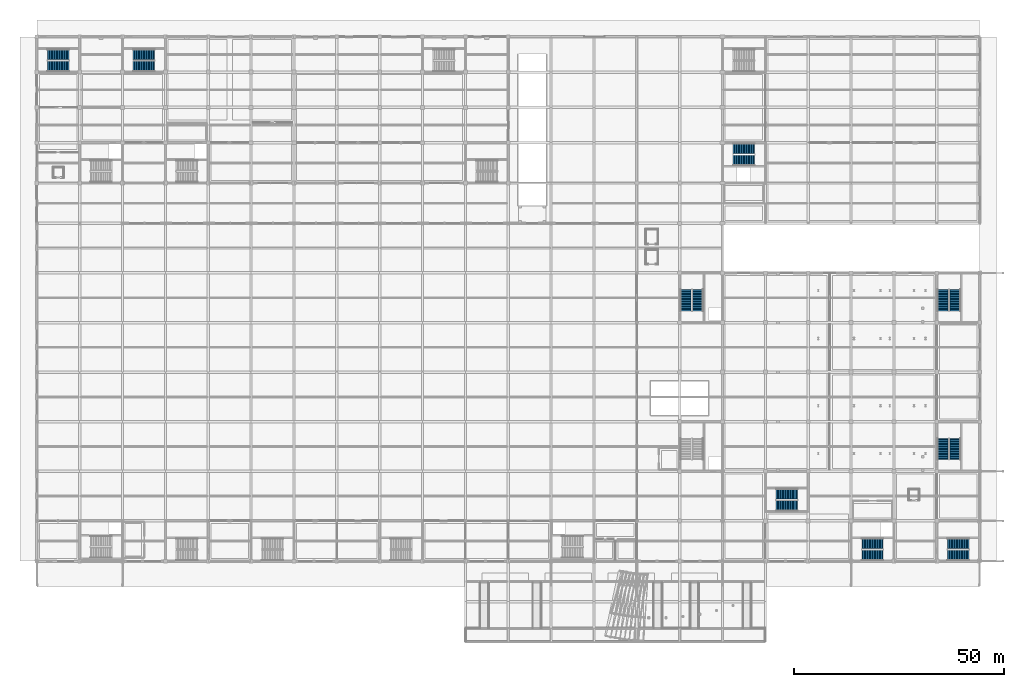
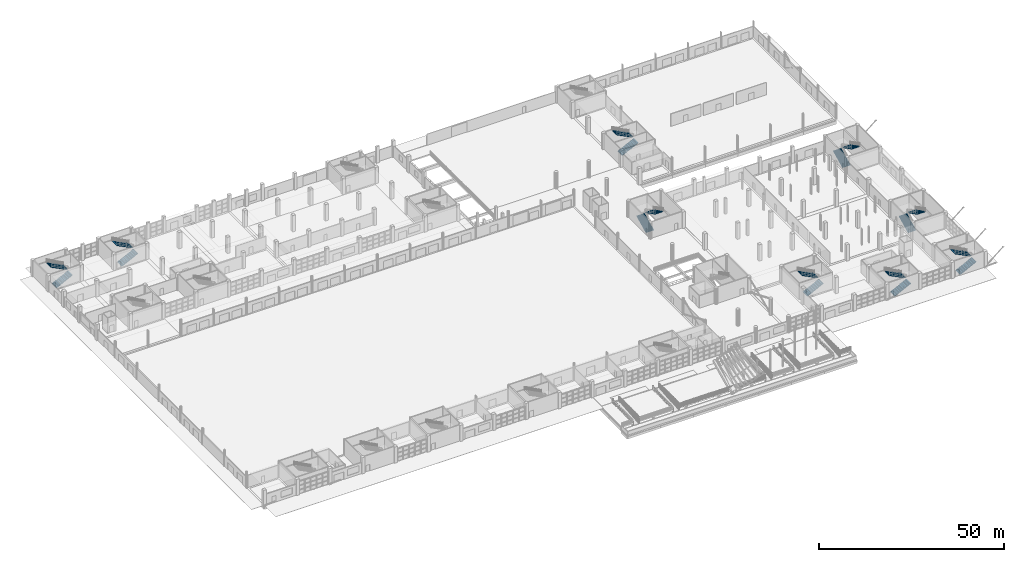
# One storey, part 101 of 124: 18 stair flights, 9 elements without a shape of their own.
"""IFC4 building model written with IfcOpenShell, lengths in metres."""

import ifcopenshell
import ifcopenshell.guid

model = None  # the IFC model being written
_history = None  # IfcOwnerHistory: only IFC2X3 demands one
_inside = {}  # id of a spatial element -> (the spatial element, [elements in it])
_under = {}  # id of a project, library or spatial element -> (it, [spatial elements below it])
_declared = {}  # id of a project -> (the project, [libraries it declares])
_typed = {}  # id of a type object -> (the type object, [elements of that type])
_made_of = {}  # id of a material, layer set ... -> (it, [elements and type objects made of it])


def new_model(schema):
    """Start an empty IFC model of exactly this schema.

    Asked for "IFC4X3", IfcOpenShell would pick the latest addendum, in which some entities
    have other attributes; the version numbers below select the first issue.
    IFC2X3 requires an IfcOwnerHistory on every rooted entity: one is made here for all.
    """
    global model, _history
    if schema == "IFC4X3":
        model = ifcopenshell.file(schema_version=(4, 3, 0, 0))
    else:
        model = ifcopenshell.file(schema=schema)
    _inside.clear()
    _under.clear()
    _declared.clear()
    _typed.clear()
    _made_of.clear()
    _history = None
    if model.schema == "IFC2X3":
        org = make("IfcOrganization", Name="unknown")
        user = make(
            "IfcPersonAndOrganization",
            ThePerson=make("IfcPerson", FamilyName="unknown"),
            TheOrganization=org,
        )
        app = make(
            "IfcApplication",
            ApplicationDeveloper=org,
            Version="unknown",
            ApplicationFullName="unknown",
            ApplicationIdentifier="unknown",
        )
        _history = make(
            "IfcOwnerHistory",
            OwningUser=user,
            OwningApplication=app,
            ChangeAction="ADDED",
            CreationDate=0,
        )
    return model


def make(cls, **values):
    """One entity of the class cls with the attributes given. An attribute that is None is left unset."""
    return model.create_entity(
        cls, **{name: value for name, value in values.items() if value is not None}
    )


def rooted(cls, **values):
    """An entity with a GlobalId (a new one), such as an element, a storey or a relation."""
    return make(cls, GlobalId=ifcopenshell.guid.new(), OwnerHistory=_history, **values)


def si_unit(unit_type, name, prefix=None):
    """IfcSIUnit, for example si_unit("LENGTHUNIT", "METRE", prefix="MILLI")."""
    return make("IfcSIUnit", UnitType=unit_type, Prefix=prefix, Name=name)


def assignment(units):
    """IfcUnitAssignment: the units of a project."""
    return None if units is None else make("IfcUnitAssignment", Units=units)


def point(xyz):
    """IfcCartesianPoint."""
    return None if xyz is None else make("IfcCartesianPoint", Coordinates=xyz)


def direction(xyz):
    """IfcDirection."""
    return None if xyz is None else make("IfcDirection", DirectionRatios=xyz)


def frame(location, z_axis=None, x_axis=None):
    """IfcAxis2Placement3D, a coordinate frame: its origin and axes. An axis left out is left unset."""
    return make(
        "IfcAxis2Placement3D",
        Location=point(location),
        Axis=direction(z_axis),
        RefDirection=direction(x_axis),
    )


def origin():
    """The frame at (0, 0, 0) with its axes left unset."""
    return frame((0.0, 0.0, 0.0))


def place(relative_to, where):
    """IfcLocalPlacement: puts the frame where relative to a parent placement (None: the world)."""
    return make(
        "IfcLocalPlacement", PlacementRelTo=relative_to, RelativePlacement=where
    )


def context(
    kind, dimensions, precision=None, world=None, true_north=None, identifier=None
):
    """IfcGeometricRepresentationContext, for example the 3D "Model" context."""
    return make(
        "IfcGeometricRepresentationContext",
        ContextIdentifier=identifier,
        ContextType=kind,
        CoordinateSpaceDimension=dimensions,
        Precision=precision,
        WorldCoordinateSystem=world,
        TrueNorth=true_north,
    )


def subcontext(parent, identifier, kind, view, scale=None):
    """IfcGeometricRepresentationSubContext, for example "Body" below "Model"."""
    return make(
        "IfcGeometricRepresentationSubContext",
        ContextIdentifier=identifier,
        ContextType=kind,
        ParentContext=parent,
        TargetScale=scale,
        TargetView=view,
    )


def project(units=None, contexts=None):
    """IfcProject with its units and contexts."""
    return rooted(
        "IfcProject",
        Name="project",
        RepresentationContexts=contexts,
        UnitsInContext=assignment(units),
    )


def spatial(cls, under=None, at=None, **own):
    """A site, building, storey or space (cls), placed at a placement, below another one or the project."""
    s = rooted(cls, ObjectPlacement=at, **own)
    if under is not None:
        _under.setdefault(under.id(), (under, []))[1].append(s)
    return s


def polyline(points):
    """IfcPolyline through the points."""
    return make("IfcPolyline", Points=[point(p) for p in points])


def outline(outer, holes=None, kind="AREA"):
    """IfcArbitraryClosedProfileDef: a profile drawn as a closed curve; with holes, ...WithVoids."""
    if holes is None:
        return make("IfcArbitraryClosedProfileDef", ProfileType=kind, OuterCurve=outer)
    return make(
        "IfcArbitraryProfileDefWithVoids",
        ProfileType=kind,
        OuterCurve=outer,
        InnerCurves=holes,
    )


def extrude(swept, where, along, depth):
    """IfcExtrudedAreaSolid: the profile swept, set in the frame where, extruded along a direction by depth."""
    return make(
        "IfcExtrudedAreaSolid",
        SweptArea=swept,
        Position=where,
        ExtrudedDirection=direction(along),
        Depth=depth,
    )


def shape(context_of_items, identifier, shape_type, items):
    """IfcShapeRepresentation: the items that make up one representation, for example the "Body"."""
    return make(
        "IfcShapeRepresentation",
        ContextOfItems=context_of_items,
        RepresentationIdentifier=identifier,
        RepresentationType=shape_type,
        Items=items,
    )


def material(Name=None, Category=None):
    """IfcMaterial."""
    return make("IfcMaterial", Name=Name, Category=Category)


def made_of(thing, what):
    """Note that an element or type object is made of a material, layer set ...; save() writes the relation."""
    if what is not None:
        _made_of.setdefault(what.id(), (what, []))[1].append(thing)
    return thing


def type_object(cls, material=None, **own):
    """A type object (cls), such as IfcWallType, which elements share."""
    return made_of(rooted(cls, **own), material)


def element(
    cls,
    number,
    at=None,
    inside=None,
    cuts=None,
    type_object=None,
    material=None,
    context=None,
    identifier="Body",
    shape_type=None,
    held_by="IfcProductDefinitionShape",
    body=None,
    shapes=None,
    **own,
):
    """One element of the class cls, such as IfcWall. Its Tag is "e" and its number.

    at: its placement. inside: the storey or other place that contains it. cuts: it is an
    opening in that element (IfcRelVoidsElement). A single representation is given by context,
    identifier, shape_type and body (its items); several are given by shapes. held_by: the class
    of the entity that holds the representations. save() writes the other relations.
    """
    e = rooted(cls, Tag="e%d" % number, ObjectPlacement=at, **own)
    if body is not None:
        shapes = [shape(context, identifier, shape_type, body)]
    if shapes is not None:
        e.Representation = make(held_by, Representations=shapes)
    if inside is not None:
        _inside.setdefault(inside.id(), (inside, []))[1].append(e)
    if cuts is not None:
        rooted(
            "IfcRelVoidsElement", RelatingBuildingElement=cuts, RelatedOpeningElement=e
        )
    if type_object is not None:
        _typed.setdefault(type_object.id(), (type_object, []))[1].append(e)
    return made_of(e, material)


def aggregate(whole, parts):
    """IfcRelAggregates: a whole, such as a stair, and the parts it consists of."""
    return rooted("IfcRelAggregates", RelatingObject=whole, RelatedObjects=parts)


def save(model, path):
    """Write the relations noted so far, then the file.

    IfcRelAggregates (storeys below a building ...), IfcRelContainedInSpatialStructure (elements
    in a storey), IfcRelDefinesByType, IfcRelAssociatesMaterial and IfcRelDeclares: one each for
    every whole, place, type object, material and project.
    """
    for whole, parts in _under.values():
        aggregate(whole, parts)
    for where, things in _inside.values():
        rooted(
            "IfcRelContainedInSpatialStructure",
            RelatedElements=things,
            RelatingStructure=where,
        )
    for kind, things in _typed.values():
        rooted("IfcRelDefinesByType", RelatedObjects=things, RelatingType=kind)
    for what, things in _made_of.values():
        rooted("IfcRelAssociatesMaterial", RelatedObjects=things, RelatingMaterial=what)
    for by, libraries in _declared.values():
        rooted("IfcRelDeclares", RelatingContext=by, RelatedDefinitions=libraries)
    model.write(path)


model = new_model("IFC4")

# Units and contexts
model_context = context("Model", 3, precision=1e-05, world=origin(), true_north=direction((0.0, 1.0)))
body_context = subcontext(model_context, "Body", "Model", "MODEL_VIEW")
ifc_project = project(units=[si_unit("LENGTHUNIT", "METRE"), si_unit("AREAUNIT", "SQUARE_METRE"), si_unit("VOLUMEUNIT", "CUBIC_METRE"), si_unit("PLANEANGLEUNIT", "RADIAN"), si_unit("MASSUNIT", "GRAM", prefix="KILO")], contexts=[model_context])

# Site, building, storey
site_placement = place(None, origin())
site = spatial("IfcSite", under=ifc_project, at=site_placement, CompositionType="ELEMENT")
building_placement = place(site_placement, origin())
building = spatial("IfcBuilding", under=site, at=building_placement, Name="Brelvane Convention Centre", CompositionType="ELEMENT")
storey_placement = place(building_placement, origin())
storey = spatial("IfcBuildingStorey", under=building, at=storey_placement, Name="L00", CompositionType="ELEMENT", Elevation=0.0)

# Stair, stair flights
ifc_material_1 = material(Name="Concrete M40", Category="concrete")
stair_type_1 = type_object("IfcStairType", Name="Exit Stair ST-ASM", PredefinedType="HALF_TURN_STAIR", material=ifc_material_1)
stair_1_placement = place(storey_placement, origin())
stair_1 = element("IfcStair", 1, at=stair_1_placement, inside=storey, type_object=stair_type_1, Name="Exit Stair ST-04 (L00 to L01)", PredefinedType="HALF_TURN_STAIR")
ifc_material_2 = material(Name="Concrete M40", Category="concrete")
stair_flight_type_1 = type_object("IfcStairFlightType", Name="Stair Flight SF-A18", PredefinedType="STRAIGHT", material=ifc_material_2)
stair_flight_1_placement = place(storey_placement, frame((154.47998046875, 78.75, 0.0), z_axis=(0.0, 0.0, 1.0), x_axis=(0.0, 1.0, 0.0)))
stair_flight_1 = element("IfcStairFlight", 2, at=stair_flight_1_placement, type_object=stair_flight_type_1, Name="Stair ST-04 L00 Flight 1", NumberOfRisers=18, NumberOfTreads=17, PredefinedType="STRAIGHT", RiserHeight=0.15, TreadLength=0.3, context=body_context, shape_type="SweptSolid", body=[
    extrude(outline(polyline([(0.0, 0.0), (0.0, 0.14990234375), (0.300048828125, 0.14990234375), (0.300048828125, 0.300048828125), (0.60009765625, 0.300048828125), (0.60009765625, 0.449951171875), (0.89990234375, 0.449951171875), (0.89990234375, 0.60009765625), (1.199951171875, 0.60009765625), (1.199951171875, 0.75), (1.5, 0.75), (1.5, 0.89990234375), (1.800048828125, 0.89990234375), (1.800048828125, 1.050048828125), (2.10009765625, 1.050048828125), (2.10009765625, 1.199951171875), (2.39990234375, 1.199951171875), (2.39990234375, 1.35009765625), (2.699951171875, 1.35009765625), (2.699951171875, 1.5), (3.0, 1.5), (3.0, 1.64990234375), (3.300048828125, 1.64990234375), (3.300048828125, 1.800048828125), (3.60009765625, 1.800048828125), (3.60009765625, 1.949951171875), (3.89990234375, 1.949951171875), (3.89990234375, 2.10009765625), (4.199951171875, 2.10009765625), (4.199951171875, 2.25), (4.5, 2.25), (4.5, 2.39990234375), (4.800048828125, 2.39990234375), (4.800048828125, 2.550048828125), (5.10009765625, 2.550048828125), (5.10009765625, 2.699951171875), (5.10009765625, 2.348876953125), (0.40234375, 0.0), (0.0, 0.0)])), frame((0.0, 1.239990234375, 0.0), z_axis=(0.0, -1.0, 0.0), x_axis=(1.0, 0.0, 0.0)), (0.0, 0.0, 1.0), 2.47998046875),
])
stair_flight_2_placement = place(storey_placement, frame((157.320068359375, 83.85009765625, 2.699951171875), z_axis=(0.0, 0.0, 1.0), x_axis=(0.0, -1.0, 0.0)))
stair_flight_2 = element("IfcStairFlight", 3, at=stair_flight_2_placement, type_object=stair_flight_type_1, Name="Stair ST-04 L00 Flight 2", NumberOfRisers=18, NumberOfTreads=17, PredefinedType="STRAIGHT", RiserHeight=0.15, TreadLength=0.3, context=body_context, shape_type="SweptSolid", body=[
    extrude(outline(polyline([(0.0, 0.0), (0.0, 0.14990234375), (0.300048828125, 0.14990234375), (0.300048828125, 0.300048828125), (0.60009765625, 0.300048828125), (0.60009765625, 0.449951171875), (0.89990234375, 0.449951171875), (0.89990234375, 0.60009765625), (1.199951171875, 0.60009765625), (1.199951171875, 0.75), (1.5, 0.75), (1.5, 0.89990234375), (1.800048828125, 0.89990234375), (1.800048828125, 1.050048828125), (2.10009765625, 1.050048828125), (2.10009765625, 1.199951171875), (2.39990234375, 1.199951171875), (2.39990234375, 1.35009765625), (2.699951171875, 1.35009765625), (2.699951171875, 1.5), (3.0, 1.5), (3.0, 1.64990234375), (3.300048828125, 1.64990234375), (3.300048828125, 1.800048828125), (3.60009765625, 1.800048828125), (3.60009765625, 1.949951171875), (3.89990234375, 1.949951171875), (3.89990234375, 2.10009765625), (4.199951171875, 2.10009765625), (4.199951171875, 2.25), (4.5, 2.25), (4.5, 2.39990234375), (4.800048828125, 2.39990234375), (4.800048828125, 2.550048828125), (5.10009765625, 2.550048828125), (5.10009765625, 2.699951171875), (5.10009765625, 2.348876953125), (0.40234375, 0.0), (0.0, 0.0)])), frame((0.0, 1.239990234375, 0.0), z_axis=(0.0, -1.0, 0.0), x_axis=(1.0, 0.0, 0.0)), (0.0, 0.0, 1.0), 2.47998046875),
])
aggregate(stair_1, [stair_flight_1, stair_flight_2])

stair_2_placement = place(storey_placement, origin())
stair_2 = element("IfcStair", 4, at=stair_2_placement, inside=storey, type_object=stair_type_1, Name="Exit Stair ST-15 (L00 to L01)", PredefinedType="HALF_TURN_STAIR")
stair_flight_3_placement = place(storey_placement, frame((215.679931640625, 43.35009765625, 0.0), z_axis=(0.0, 0.0, 1.0), x_axis=(0.0, 1.0, 0.0)))
stair_flight_3 = element("IfcStairFlight", 5, at=stair_flight_3_placement, type_object=stair_flight_type_1, Name="Stair ST-15 L00 Flight 1", NumberOfRisers=18, NumberOfTreads=17, PredefinedType="STRAIGHT", RiserHeight=0.15, TreadLength=0.3, context=body_context, shape_type="SweptSolid", body=[
    extrude(outline(polyline([(0.0, 0.0), (0.0, 0.14990234375), (0.300048828125, 0.14990234375), (0.300048828125, 0.300048828125), (0.60009765625, 0.300048828125), (0.60009765625, 0.449951171875), (0.89990234375, 0.449951171875), (0.89990234375, 0.60009765625), (1.199951171875, 0.60009765625), (1.199951171875, 0.75), (1.5, 0.75), (1.5, 0.89990234375), (1.800048828125, 0.89990234375), (1.800048828125, 1.050048828125), (2.10009765625, 1.050048828125), (2.10009765625, 1.199951171875), (2.39990234375, 1.199951171875), (2.39990234375, 1.35009765625), (2.699951171875, 1.35009765625), (2.699951171875, 1.5), (3.0, 1.5), (3.0, 1.64990234375), (3.300048828125, 1.64990234375), (3.300048828125, 1.800048828125), (3.60009765625, 1.800048828125), (3.60009765625, 1.949951171875), (3.89990234375, 1.949951171875), (3.89990234375, 2.10009765625), (4.199951171875, 2.10009765625), (4.199951171875, 2.25), (4.5, 2.25), (4.5, 2.39990234375), (4.800048828125, 2.39990234375), (4.800048828125, 2.550048828125), (5.10009765625, 2.550048828125), (5.10009765625, 2.699951171875), (5.10009765625, 2.348876953125), (0.40234375, 0.0), (0.0, 0.0)])), frame((0.0, 1.239990234375, 0.0), z_axis=(0.0, -1.0, 0.0), x_axis=(1.0, 0.0, 0.0)), (0.0, 0.0, 1.0), 2.47998046875),
])
stair_flight_4_placement = place(storey_placement, frame((218.52001953125, 48.449951171875, 2.699951171875), z_axis=(0.0, 0.0, 1.0), x_axis=(0.0, -1.0, 0.0)))
stair_flight_4 = element("IfcStairFlight", 6, at=stair_flight_4_placement, type_object=stair_flight_type_1, Name="Stair ST-15 L00 Flight 2", NumberOfRisers=18, NumberOfTreads=17, PredefinedType="STRAIGHT", RiserHeight=0.15, TreadLength=0.3, context=body_context, shape_type="SweptSolid", body=[
    extrude(outline(polyline([(0.0, 0.0), (0.0, 0.14990234375), (0.300048828125, 0.14990234375), (0.300048828125, 0.300048828125), (0.60009765625, 0.300048828125), (0.60009765625, 0.449951171875), (0.89990234375, 0.449951171875), (0.89990234375, 0.60009765625), (1.199951171875, 0.60009765625), (1.199951171875, 0.75), (1.5, 0.75), (1.5, 0.89990234375), (1.800048828125, 0.89990234375), (1.800048828125, 1.050048828125), (2.10009765625, 1.050048828125), (2.10009765625, 1.199951171875), (2.39990234375, 1.199951171875), (2.39990234375, 1.35009765625), (2.699951171875, 1.35009765625), (2.699951171875, 1.5), (3.0, 1.5), (3.0, 1.64990234375), (3.300048828125, 1.64990234375), (3.300048828125, 1.800048828125), (3.60009765625, 1.800048828125), (3.60009765625, 1.949951171875), (3.89990234375, 1.949951171875), (3.89990234375, 2.10009765625), (4.199951171875, 2.10009765625), (4.199951171875, 2.25), (4.5, 2.25), (4.5, 2.39990234375), (4.800048828125, 2.39990234375), (4.800048828125, 2.550048828125), (5.10009765625, 2.550048828125), (5.10009765625, 2.699951171875), (5.10009765625, 2.348876953125), (0.40234375, 0.0), (0.0, 0.0)])), frame((0.0, 1.239990234375, 0.0), z_axis=(0.0, -1.0, 0.0), x_axis=(1.0, 0.0, 0.0)), (0.0, 0.0, 1.0), 2.47998046875),
])
aggregate(stair_2, [stair_flight_3, stair_flight_4])

stair_3_placement = place(storey_placement, origin())
stair_3 = element("IfcStair", 7, at=stair_3_placement, inside=storey, type_object=stair_type_1, Name="Exit Stair ST-16 (L00 to L01)", PredefinedType="HALF_TURN_STAIR")
stair_flight_5_placement = place(storey_placement, frame((215.679931640625, 78.75, 0.0), z_axis=(0.0, 0.0, 1.0), x_axis=(0.0, 1.0, 0.0)))
stair_flight_5 = element("IfcStairFlight", 8, at=stair_flight_5_placement, type_object=stair_flight_type_1, Name="Stair ST-16 L00 Flight 1", NumberOfRisers=18, NumberOfTreads=17, PredefinedType="STRAIGHT", RiserHeight=0.15, TreadLength=0.3, context=body_context, shape_type="SweptSolid", body=[
    extrude(outline(polyline([(0.0, 0.0), (0.0, 0.14990234375), (0.300048828125, 0.14990234375), (0.300048828125, 0.300048828125), (0.60009765625, 0.300048828125), (0.60009765625, 0.449951171875), (0.89990234375, 0.449951171875), (0.89990234375, 0.60009765625), (1.199951171875, 0.60009765625), (1.199951171875, 0.75), (1.5, 0.75), (1.5, 0.89990234375), (1.800048828125, 0.89990234375), (1.800048828125, 1.050048828125), (2.10009765625, 1.050048828125), (2.10009765625, 1.199951171875), (2.39990234375, 1.199951171875), (2.39990234375, 1.35009765625), (2.699951171875, 1.35009765625), (2.699951171875, 1.5), (3.0, 1.5), (3.0, 1.64990234375), (3.300048828125, 1.64990234375), (3.300048828125, 1.800048828125), (3.60009765625, 1.800048828125), (3.60009765625, 1.949951171875), (3.89990234375, 1.949951171875), (3.89990234375, 2.10009765625), (4.199951171875, 2.10009765625), (4.199951171875, 2.25), (4.5, 2.25), (4.5, 2.39990234375), (4.800048828125, 2.39990234375), (4.800048828125, 2.550048828125), (5.10009765625, 2.550048828125), (5.10009765625, 2.699951171875), (5.10009765625, 2.348876953125), (0.40234375, 0.0), (0.0, 0.0)])), frame((0.0, 1.239990234375, 0.0), z_axis=(0.0, -1.0, 0.0), x_axis=(1.0, 0.0, 0.0)), (0.0, 0.0, 1.0), 2.47998046875),
])
stair_flight_6_placement = place(storey_placement, frame((218.52001953125, 83.85009765625, 2.699951171875), z_axis=(0.0, 0.0, 1.0), x_axis=(0.0, -1.0, 0.0)))
stair_flight_6 = element("IfcStairFlight", 9, at=stair_flight_6_placement, type_object=stair_flight_type_1, Name="Stair ST-16 L00 Flight 2", NumberOfRisers=18, NumberOfTreads=17, PredefinedType="STRAIGHT", RiserHeight=0.15, TreadLength=0.3, context=body_context, shape_type="SweptSolid", body=[
    extrude(outline(polyline([(0.0, 0.0), (0.0, 0.14990234375), (0.300048828125, 0.14990234375), (0.300048828125, 0.300048828125), (0.60009765625, 0.300048828125), (0.60009765625, 0.449951171875), (0.89990234375, 0.449951171875), (0.89990234375, 0.60009765625), (1.199951171875, 0.60009765625), (1.199951171875, 0.75), (1.5, 0.75), (1.5, 0.89990234375), (1.800048828125, 0.89990234375), (1.800048828125, 1.050048828125), (2.10009765625, 1.050048828125), (2.10009765625, 1.199951171875), (2.39990234375, 1.199951171875), (2.39990234375, 1.35009765625), (2.699951171875, 1.35009765625), (2.699951171875, 1.5), (3.0, 1.5), (3.0, 1.64990234375), (3.300048828125, 1.64990234375), (3.300048828125, 1.800048828125), (3.60009765625, 1.800048828125), (3.60009765625, 1.949951171875), (3.89990234375, 1.949951171875), (3.89990234375, 2.10009765625), (4.199951171875, 2.10009765625), (4.199951171875, 2.25), (4.5, 2.25), (4.5, 2.39990234375), (4.800048828125, 2.39990234375), (4.800048828125, 2.550048828125), (5.10009765625, 2.550048828125), (5.10009765625, 2.699951171875), (5.10009765625, 2.348876953125), (0.40234375, 0.0), (0.0, 0.0)])), frame((0.0, 1.239990234375, 0.0), z_axis=(0.0, -1.0, 0.0), x_axis=(1.0, 0.0, 0.0)), (0.0, 0.0, 1.0), 2.47998046875),
])
aggregate(stair_3, [stair_flight_5, stair_flight_6])

ifc_material_3 = material(Name="Concrete M40", Category="concrete")
stair_type_2 = type_object("IfcStairType", Name="Exit Stair ST-CORE", PredefinedType="HALF_TURN_STAIR", material=ifc_material_3)
stair_4_placement = place(storey_placement, origin())
stair_4 = element("IfcStair", 10, at=stair_4_placement, inside=storey, type_object=stair_type_2, Name="Exit Stair ST-05 (L00 to L01)", PredefinedType="HALF_TURN_STAIR")
ifc_material_4 = material(Name="Concrete M40", Category="concrete")
stair_flight_type_2 = type_object("IfcStairFlightType", Name="Stair Flight SF-C18", PredefinedType="STRAIGHT", material=ifc_material_4)
stair_flight_7_placement = place(storey_placement, frame((165.75, 114.6298828125, 0.0), z_axis=(0.0, 0.0, 1.0), x_axis=(1.0, 0.0, 0.0)))
stair_flight_7 = element("IfcStairFlight", 11, at=stair_flight_7_placement, type_object=stair_flight_type_2, Name="Stair ST-05 L00 Flight 1", NumberOfRisers=18, NumberOfTreads=17, PredefinedType="STRAIGHT", RiserHeight=0.15, TreadLength=0.3, context=body_context, shape_type="SweptSolid", body=[
    extrude(outline(polyline([(0.0, 0.0), (0.0, 0.14990234375), (0.300048828125, 0.14990234375), (0.300048828125, 0.300048828125), (0.60009765625, 0.300048828125), (0.60009765625, 0.449951171875), (0.89990234375, 0.449951171875), (0.89990234375, 0.60009765625), (1.199951171875, 0.60009765625), (1.199951171875, 0.75), (1.5, 0.75), (1.5, 0.89990234375), (1.800048828125, 0.89990234375), (1.800048828125, 1.050048828125), (2.10009765625, 1.050048828125), (2.10009765625, 1.199951171875), (2.39990234375, 1.199951171875), (2.39990234375, 1.35009765625), (2.699951171875, 1.35009765625), (2.699951171875, 1.5), (3.0, 1.5), (3.0, 1.64990234375), (3.300048828125, 1.64990234375), (3.300048828125, 1.800048828125), (3.60009765625, 1.800048828125), (3.60009765625, 1.949951171875), (3.89990234375, 1.949951171875), (3.89990234375, 2.10009765625), (4.199951171875, 2.10009765625), (4.199951171875, 2.25), (4.5, 2.25), (4.5, 2.39990234375), (4.800048828125, 2.39990234375), (4.800048828125, 2.550048828125), (5.10009765625, 2.550048828125), (5.10009765625, 2.699951171875), (5.10009765625, 2.348876953125), (0.40234375, 0.0), (0.0, 0.0)])), frame((0.0, 1.18994140625, 0.0), z_axis=(0.0, -1.0, 0.0), x_axis=(1.0, 0.0, 0.0)), (0.0, 0.0, 1.0), 2.3798828125),
])
stair_flight_8_placement = place(storey_placement, frame((170.85009765625, 117.3701171875, 2.699951171875), z_axis=(0.0, 0.0, 1.0), x_axis=(-1.0, 0.0, 0.0)))
stair_flight_8 = element("IfcStairFlight", 12, at=stair_flight_8_placement, type_object=stair_flight_type_2, Name="Stair ST-05 L00 Flight 2", NumberOfRisers=18, NumberOfTreads=17, PredefinedType="STRAIGHT", RiserHeight=0.15, TreadLength=0.3, context=body_context, shape_type="SweptSolid", body=[
    extrude(outline(polyline([(0.0, 0.0), (0.0, 0.14990234375), (0.300048828125, 0.14990234375), (0.300048828125, 0.300048828125), (0.60009765625, 0.300048828125), (0.60009765625, 0.449951171875), (0.89990234375, 0.449951171875), (0.89990234375, 0.60009765625), (1.199951171875, 0.60009765625), (1.199951171875, 0.75), (1.5, 0.75), (1.5, 0.89990234375), (1.800048828125, 0.89990234375), (1.800048828125, 1.050048828125), (2.10009765625, 1.050048828125), (2.10009765625, 1.199951171875), (2.39990234375, 1.199951171875), (2.39990234375, 1.35009765625), (2.699951171875, 1.35009765625), (2.699951171875, 1.5), (3.0, 1.5), (3.0, 1.64990234375), (3.300048828125, 1.64990234375), (3.300048828125, 1.800048828125), (3.60009765625, 1.800048828125), (3.60009765625, 1.949951171875), (3.89990234375, 1.949951171875), (3.89990234375, 2.10009765625), (4.199951171875, 2.10009765625), (4.199951171875, 2.25), (4.5, 2.25), (4.5, 2.39990234375), (4.800048828125, 2.39990234375), (4.800048828125, 2.550048828125), (5.10009765625, 2.550048828125), (5.10009765625, 2.699951171875), (5.10009765625, 2.348876953125), (0.40234375, 0.0), (0.0, 0.0)])), frame((0.0, 1.18994140625, 0.0), z_axis=(0.0, -1.0, 0.0), x_axis=(1.0, 0.0, 0.0)), (0.0, 0.0, 1.0), 2.3798828125),
])
aggregate(stair_4, [stair_flight_7, stair_flight_8])

stair_5_placement = place(storey_placement, origin())
stair_5 = element("IfcStair", 13, at=stair_5_placement, inside=storey, type_object=stair_type_2, Name="Exit Stair ST-08 (L00 to L01)", PredefinedType="HALF_TURN_STAIR")
stair_flight_9_placement = place(storey_placement, frame((196.35009765625, 20.6298828125, 0.0), z_axis=(0.0, 0.0, 1.0), x_axis=(1.0, 0.0, 0.0)))
stair_flight_9 = element("IfcStairFlight", 14, at=stair_flight_9_placement, type_object=stair_flight_type_2, Name="Stair ST-08 L00 Flight 1", NumberOfRisers=18, NumberOfTreads=17, PredefinedType="STRAIGHT", RiserHeight=0.15, TreadLength=0.3, context=body_context, shape_type="SweptSolid", body=[
    extrude(outline(polyline([(0.0, 0.0), (0.0, 0.14990234375), (0.300048828125, 0.14990234375), (0.300048828125, 0.300048828125), (0.60009765625, 0.300048828125), (0.60009765625, 0.449951171875), (0.89990234375, 0.449951171875), (0.89990234375, 0.60009765625), (1.199951171875, 0.60009765625), (1.199951171875, 0.75), (1.5, 0.75), (1.5, 0.89990234375), (1.800048828125, 0.89990234375), (1.800048828125, 1.050048828125), (2.10009765625, 1.050048828125), (2.10009765625, 1.199951171875), (2.39990234375, 1.199951171875), (2.39990234375, 1.35009765625), (2.699951171875, 1.35009765625), (2.699951171875, 1.5), (3.0, 1.5), (3.0, 1.64990234375), (3.300048828125, 1.64990234375), (3.300048828125, 1.800048828125), (3.60009765625, 1.800048828125), (3.60009765625, 1.949951171875), (3.89990234375, 1.949951171875), (3.89990234375, 2.10009765625), (4.199951171875, 2.10009765625), (4.199951171875, 2.25), (4.5, 2.25), (4.5, 2.39990234375), (4.800048828125, 2.39990234375), (4.800048828125, 2.550048828125), (5.10009765625, 2.550048828125), (5.10009765625, 2.699951171875), (5.10009765625, 2.348876953125), (0.40234375, 0.0), (0.0, 0.0)])), frame((0.0, 1.18994140625, 0.0), z_axis=(0.0, -1.0, 0.0), x_axis=(1.0, 0.0, 0.0)), (0.0, 0.0, 1.0), 2.3798828125),
])
stair_flight_10_placement = place(storey_placement, frame((201.449951171875, 23.3701171875, 2.699951171875), z_axis=(0.0, 0.0, 1.0), x_axis=(-1.0, 0.0, 0.0)))
stair_flight_10 = element("IfcStairFlight", 15, at=stair_flight_10_placement, type_object=stair_flight_type_2, Name="Stair ST-08 L00 Flight 2", NumberOfRisers=18, NumberOfTreads=17, PredefinedType="STRAIGHT", RiserHeight=0.15, TreadLength=0.3, context=body_context, shape_type="SweptSolid", body=[
    extrude(outline(polyline([(0.0, 0.0), (0.0, 0.14990234375), (0.300048828125, 0.14990234375), (0.300048828125, 0.300048828125), (0.60009765625, 0.300048828125), (0.60009765625, 0.449951171875), (0.89990234375, 0.449951171875), (0.89990234375, 0.60009765625), (1.199951171875, 0.60009765625), (1.199951171875, 0.75), (1.5, 0.75), (1.5, 0.89990234375), (1.800048828125, 0.89990234375), (1.800048828125, 1.050048828125), (2.10009765625, 1.050048828125), (2.10009765625, 1.199951171875), (2.39990234375, 1.199951171875), (2.39990234375, 1.35009765625), (2.699951171875, 1.35009765625), (2.699951171875, 1.5), (3.0, 1.5), (3.0, 1.64990234375), (3.300048828125, 1.64990234375), (3.300048828125, 1.800048828125), (3.60009765625, 1.800048828125), (3.60009765625, 1.949951171875), (3.89990234375, 1.949951171875), (3.89990234375, 2.10009765625), (4.199951171875, 2.10009765625), (4.199951171875, 2.25), (4.5, 2.25), (4.5, 2.39990234375), (4.800048828125, 2.39990234375), (4.800048828125, 2.550048828125), (5.10009765625, 2.550048828125), (5.10009765625, 2.699951171875), (5.10009765625, 2.348876953125), (0.40234375, 0.0), (0.0, 0.0)])), frame((0.0, 1.18994140625, 0.0), z_axis=(0.0, -1.0, 0.0), x_axis=(1.0, 0.0, 0.0)), (0.0, 0.0, 1.0), 2.3798828125),
])
aggregate(stair_5, [stair_flight_9, stair_flight_10])

stair_6_placement = place(storey_placement, origin())
stair_6 = element("IfcStair", 16, at=stair_6_placement, inside=storey, type_object=stair_type_2, Name="Exit Stair ST-13 (L00 to L01)", PredefinedType="HALF_TURN_STAIR")
stair_flight_11_placement = place(storey_placement, frame((22.949951171875, 137.030029296875, 0.0), z_axis=(0.0, 0.0, 1.0), x_axis=(1.0, 0.0, 0.0)))
stair_flight_11 = element("IfcStairFlight", 17, at=stair_flight_11_placement, type_object=stair_flight_type_2, Name="Stair ST-13 L00 Flight 1", NumberOfRisers=18, NumberOfTreads=17, PredefinedType="STRAIGHT", RiserHeight=0.15, TreadLength=0.3, context=body_context, shape_type="SweptSolid", body=[
    extrude(outline(polyline([(0.0, 0.0), (0.0, 0.14990234375), (0.300048828125, 0.14990234375), (0.300048828125, 0.300048828125), (0.60009765625, 0.300048828125), (0.60009765625, 0.449951171875), (0.89990234375, 0.449951171875), (0.89990234375, 0.60009765625), (1.199951171875, 0.60009765625), (1.199951171875, 0.75), (1.5, 0.75), (1.5, 0.89990234375), (1.800048828125, 0.89990234375), (1.800048828125, 1.050048828125), (2.10009765625, 1.050048828125), (2.10009765625, 1.199951171875), (2.39990234375, 1.199951171875), (2.39990234375, 1.35009765625), (2.699951171875, 1.35009765625), (2.699951171875, 1.5), (3.0, 1.5), (3.0, 1.64990234375), (3.300048828125, 1.64990234375), (3.300048828125, 1.800048828125), (3.60009765625, 1.800048828125), (3.60009765625, 1.949951171875), (3.89990234375, 1.949951171875), (3.89990234375, 2.10009765625), (4.199951171875, 2.10009765625), (4.199951171875, 2.25), (4.5, 2.25), (4.5, 2.39990234375), (4.800048828125, 2.39990234375), (4.800048828125, 2.550048828125), (5.10009765625, 2.550048828125), (5.10009765625, 2.699951171875), (5.10009765625, 2.348876953125), (0.40234375, 0.0), (0.0, 0.0)])), frame((0.0, 1.18994140625, 0.0), z_axis=(0.0, -1.0, 0.0), x_axis=(1.0, 0.0, 0.0)), (0.0, 0.0, 1.0), 2.3798828125),
])
stair_flight_12_placement = place(storey_placement, frame((28.050048828125, 139.77001953125, 2.699951171875), z_axis=(0.0, 0.0, 1.0), x_axis=(-1.0, 0.0, 0.0)))
stair_flight_12 = element("IfcStairFlight", 18, at=stair_flight_12_placement, type_object=stair_flight_type_2, Name="Stair ST-13 L00 Flight 2", NumberOfRisers=18, NumberOfTreads=17, PredefinedType="STRAIGHT", RiserHeight=0.15, TreadLength=0.3, context=body_context, shape_type="SweptSolid", body=[
    extrude(outline(polyline([(0.0, 0.0), (0.0, 0.14990234375), (0.300048828125, 0.14990234375), (0.300048828125, 0.300048828125), (0.60009765625, 0.300048828125), (0.60009765625, 0.449951171875), (0.89990234375, 0.449951171875), (0.89990234375, 0.60009765625), (1.199951171875, 0.60009765625), (1.199951171875, 0.75), (1.5, 0.75), (1.5, 0.89990234375), (1.800048828125, 0.89990234375), (1.800048828125, 1.050048828125), (2.10009765625, 1.050048828125), (2.10009765625, 1.199951171875), (2.39990234375, 1.199951171875), (2.39990234375, 1.35009765625), (2.699951171875, 1.35009765625), (2.699951171875, 1.5), (3.0, 1.5), (3.0, 1.64990234375), (3.300048828125, 1.64990234375), (3.300048828125, 1.800048828125), (3.60009765625, 1.800048828125), (3.60009765625, 1.949951171875), (3.89990234375, 1.949951171875), (3.89990234375, 2.10009765625), (4.199951171875, 2.10009765625), (4.199951171875, 2.25), (4.5, 2.25), (4.5, 2.39990234375), (4.800048828125, 2.39990234375), (4.800048828125, 2.550048828125), (5.10009765625, 2.550048828125), (5.10009765625, 2.699951171875), (5.10009765625, 2.348876953125), (0.40234375, 0.0), (0.0, 0.0)])), frame((0.0, 1.18994140625, 0.0), z_axis=(0.0, -1.0, 0.0), x_axis=(1.0, 0.0, 0.0)), (0.0, 0.0, 1.0), 2.3798828125),
])
aggregate(stair_6, [stair_flight_11, stair_flight_12])

stair_7_placement = place(storey_placement, origin())
stair_7 = element("IfcStair", 19, at=stair_7_placement, inside=storey, type_object=stair_type_2, Name="Exit Stair ST-14 (L00 to L01)", PredefinedType="HALF_TURN_STAIR")
stair_flight_13_placement = place(storey_placement, frame((216.75, 20.6298828125, 0.0), z_axis=(0.0, 0.0, 1.0), x_axis=(1.0, 0.0, 0.0)))
stair_flight_13 = element("IfcStairFlight", 20, at=stair_flight_13_placement, type_object=stair_flight_type_2, Name="Stair ST-14 L00 Flight 1", NumberOfRisers=18, NumberOfTreads=17, PredefinedType="STRAIGHT", RiserHeight=0.15, TreadLength=0.3, context=body_context, shape_type="SweptSolid", body=[
    extrude(outline(polyline([(0.0, 0.0), (0.0, 0.14990234375), (0.300048828125, 0.14990234375), (0.300048828125, 0.300048828125), (0.60009765625, 0.300048828125), (0.60009765625, 0.449951171875), (0.89990234375, 0.449951171875), (0.89990234375, 0.60009765625), (1.199951171875, 0.60009765625), (1.199951171875, 0.75), (1.5, 0.75), (1.5, 0.89990234375), (1.800048828125, 0.89990234375), (1.800048828125, 1.050048828125), (2.10009765625, 1.050048828125), (2.10009765625, 1.199951171875), (2.39990234375, 1.199951171875), (2.39990234375, 1.35009765625), (2.699951171875, 1.35009765625), (2.699951171875, 1.5), (3.0, 1.5), (3.0, 1.64990234375), (3.300048828125, 1.64990234375), (3.300048828125, 1.800048828125), (3.60009765625, 1.800048828125), (3.60009765625, 1.949951171875), (3.89990234375, 1.949951171875), (3.89990234375, 2.10009765625), (4.199951171875, 2.10009765625), (4.199951171875, 2.25), (4.5, 2.25), (4.5, 2.39990234375), (4.800048828125, 2.39990234375), (4.800048828125, 2.550048828125), (5.10009765625, 2.550048828125), (5.10009765625, 2.699951171875), (5.10009765625, 2.348876953125), (0.40234375, 0.0), (0.0, 0.0)])), frame((0.0, 1.18994140625, 0.0), z_axis=(0.0, -1.0, 0.0), x_axis=(1.0, 0.0, 0.0)), (0.0, 0.0, 1.0), 2.3798828125),
])
stair_flight_14_placement = place(storey_placement, frame((221.85009765625, 23.3701171875, 2.699951171875), z_axis=(0.0, 0.0, 1.0), x_axis=(-1.0, 0.0, 0.0)))
stair_flight_14 = element("IfcStairFlight", 21, at=stair_flight_14_placement, type_object=stair_flight_type_2, Name="Stair ST-14 L00 Flight 2", NumberOfRisers=18, NumberOfTreads=17, PredefinedType="STRAIGHT", RiserHeight=0.15, TreadLength=0.3, context=body_context, shape_type="SweptSolid", body=[
    extrude(outline(polyline([(0.0, 0.0), (0.0, 0.14990234375), (0.300048828125, 0.14990234375), (0.300048828125, 0.300048828125), (0.60009765625, 0.300048828125), (0.60009765625, 0.449951171875), (0.89990234375, 0.449951171875), (0.89990234375, 0.60009765625), (1.199951171875, 0.60009765625), (1.199951171875, 0.75), (1.5, 0.75), (1.5, 0.89990234375), (1.800048828125, 0.89990234375), (1.800048828125, 1.050048828125), (2.10009765625, 1.050048828125), (2.10009765625, 1.199951171875), (2.39990234375, 1.199951171875), (2.39990234375, 1.35009765625), (2.699951171875, 1.35009765625), (2.699951171875, 1.5), (3.0, 1.5), (3.0, 1.64990234375), (3.300048828125, 1.64990234375), (3.300048828125, 1.800048828125), (3.60009765625, 1.800048828125), (3.60009765625, 1.949951171875), (3.89990234375, 1.949951171875), (3.89990234375, 2.10009765625), (4.199951171875, 2.10009765625), (4.199951171875, 2.25), (4.5, 2.25), (4.5, 2.39990234375), (4.800048828125, 2.39990234375), (4.800048828125, 2.550048828125), (5.10009765625, 2.550048828125), (5.10009765625, 2.699951171875), (5.10009765625, 2.348876953125), (0.40234375, 0.0), (0.0, 0.0)])), frame((0.0, 1.18994140625, 0.0), z_axis=(0.0, -1.0, 0.0), x_axis=(1.0, 0.0, 0.0)), (0.0, 0.0, 1.0), 2.3798828125),
])
aggregate(stair_7, [stair_flight_13, stair_flight_14])

stair_8_placement = place(storey_placement, origin())
stair_8 = element("IfcStair", 22, at=stair_8_placement, inside=storey, type_object=stair_type_2, Name="Exit Stair ST-17 (L00 to L01)", PredefinedType="HALF_TURN_STAIR")
stair_flight_15_placement = place(storey_placement, frame((2.550048828125, 137.030029296875, 0.0), z_axis=(0.0, 0.0, 1.0), x_axis=(1.0, 0.0, 0.0)))
stair_flight_15 = element("IfcStairFlight", 23, at=stair_flight_15_placement, type_object=stair_flight_type_2, Name="Stair ST-17 L00 Flight 1", NumberOfRisers=18, NumberOfTreads=17, PredefinedType="STRAIGHT", RiserHeight=0.15, TreadLength=0.3, context=body_context, shape_type="SweptSolid", body=[
    extrude(outline(polyline([(0.0, 0.0), (0.0, 0.14990234375), (0.300048828125, 0.14990234375), (0.300048828125, 0.300048828125), (0.60009765625, 0.300048828125), (0.60009765625, 0.449951171875), (0.89990234375, 0.449951171875), (0.89990234375, 0.60009765625), (1.199951171875, 0.60009765625), (1.199951171875, 0.75), (1.5, 0.75), (1.5, 0.89990234375), (1.800048828125, 0.89990234375), (1.800048828125, 1.050048828125), (2.10009765625, 1.050048828125), (2.10009765625, 1.199951171875), (2.39990234375, 1.199951171875), (2.39990234375, 1.35009765625), (2.699951171875, 1.35009765625), (2.699951171875, 1.5), (3.0, 1.5), (3.0, 1.64990234375), (3.300048828125, 1.64990234375), (3.300048828125, 1.800048828125), (3.60009765625, 1.800048828125), (3.60009765625, 1.949951171875), (3.89990234375, 1.949951171875), (3.89990234375, 2.10009765625), (4.199951171875, 2.10009765625), (4.199951171875, 2.25), (4.5, 2.25), (4.5, 2.39990234375), (4.800048828125, 2.39990234375), (4.800048828125, 2.550048828125), (5.10009765625, 2.550048828125), (5.10009765625, 2.699951171875), (5.10009765625, 2.348876953125), (0.40234375, 0.0), (0.0, 0.0)])), frame((0.0, 1.18994140625, 0.0), z_axis=(0.0, -1.0, 0.0), x_axis=(1.0, 0.0, 0.0)), (0.0, 0.0, 1.0), 2.3798828125),
])
stair_flight_16_placement = place(storey_placement, frame((7.64990234375, 139.77001953125, 2.699951171875), z_axis=(0.0, 0.0, 1.0), x_axis=(-1.0, 0.0, 0.0)))
stair_flight_16 = element("IfcStairFlight", 24, at=stair_flight_16_placement, type_object=stair_flight_type_2, Name="Stair ST-17 L00 Flight 2", NumberOfRisers=18, NumberOfTreads=17, PredefinedType="STRAIGHT", RiserHeight=0.15, TreadLength=0.3, context=body_context, shape_type="SweptSolid", body=[
    extrude(outline(polyline([(0.0, 0.0), (0.0, 0.14990234375), (0.300048828125, 0.14990234375), (0.300048828125, 0.300048828125), (0.60009765625, 0.300048828125), (0.60009765625, 0.449951171875), (0.89990234375, 0.449951171875), (0.89990234375, 0.60009765625), (1.199951171875, 0.60009765625), (1.199951171875, 0.75), (1.5, 0.75), (1.5, 0.89990234375), (1.800048828125, 0.89990234375), (1.800048828125, 1.050048828125), (2.10009765625, 1.050048828125), (2.10009765625, 1.199951171875), (2.39990234375, 1.199951171875), (2.39990234375, 1.35009765625), (2.699951171875, 1.35009765625), (2.699951171875, 1.5), (3.0, 1.5), (3.0, 1.64990234375), (3.300048828125, 1.64990234375), (3.300048828125, 1.800048828125), (3.60009765625, 1.800048828125), (3.60009765625, 1.949951171875), (3.89990234375, 1.949951171875), (3.89990234375, 2.10009765625), (4.199951171875, 2.10009765625), (4.199951171875, 2.25), (4.5, 2.25), (4.5, 2.39990234375), (4.800048828125, 2.39990234375), (4.800048828125, 2.550048828125), (5.10009765625, 2.550048828125), (5.10009765625, 2.699951171875), (5.10009765625, 2.348876953125), (0.40234375, 0.0), (0.0, 0.0)])), frame((0.0, 1.18994140625, 0.0), z_axis=(0.0, -1.0, 0.0), x_axis=(1.0, 0.0, 0.0)), (0.0, 0.0, 1.0), 2.3798828125),
])
aggregate(stair_8, [stair_flight_15, stair_flight_16])

stair_9_placement = place(storey_placement, origin())
stair_9 = element("IfcStair", 25, at=stair_9_placement, inside=storey, type_object=stair_type_2, Name="Exit Stair ST-18 (L00 to L01)", PredefinedType="HALF_TURN_STAIR")
stair_flight_17_placement = place(storey_placement, frame((175.949951171875, 32.429931640625, 0.0), z_axis=(0.0, 0.0, 1.0), x_axis=(1.0, 0.0, 0.0)))
stair_flight_17 = element("IfcStairFlight", 26, at=stair_flight_17_placement, type_object=stair_flight_type_2, Name="Stair ST-18 L00 Flight 1", NumberOfRisers=18, NumberOfTreads=17, PredefinedType="STRAIGHT", RiserHeight=0.15, TreadLength=0.3, context=body_context, shape_type="SweptSolid", body=[
    extrude(outline(polyline([(0.0, 0.0), (0.0, 0.14990234375), (0.300048828125, 0.14990234375), (0.300048828125, 0.300048828125), (0.60009765625, 0.300048828125), (0.60009765625, 0.449951171875), (0.89990234375, 0.449951171875), (0.89990234375, 0.60009765625), (1.199951171875, 0.60009765625), (1.199951171875, 0.75), (1.5, 0.75), (1.5, 0.89990234375), (1.800048828125, 0.89990234375), (1.800048828125, 1.050048828125), (2.10009765625, 1.050048828125), (2.10009765625, 1.199951171875), (2.39990234375, 1.199951171875), (2.39990234375, 1.35009765625), (2.699951171875, 1.35009765625), (2.699951171875, 1.5), (3.0, 1.5), (3.0, 1.64990234375), (3.300048828125, 1.64990234375), (3.300048828125, 1.800048828125), (3.60009765625, 1.800048828125), (3.60009765625, 1.949951171875), (3.89990234375, 1.949951171875), (3.89990234375, 2.10009765625), (4.199951171875, 2.10009765625), (4.199951171875, 2.25), (4.5, 2.25), (4.5, 2.39990234375), (4.800048828125, 2.39990234375), (4.800048828125, 2.550048828125), (5.10009765625, 2.550048828125), (5.10009765625, 2.699951171875), (5.10009765625, 2.348876953125), (0.40234375, 0.0), (0.0, 0.0)])), frame((0.0, 1.18994140625, 0.0), z_axis=(0.0, -1.0, 0.0), x_axis=(1.0, 0.0, 0.0)), (0.0, 0.0, 1.0), 2.3798828125),
])
stair_flight_18_placement = place(storey_placement, frame((181.050048828125, 35.169921875, 2.699951171875), z_axis=(0.0, 0.0, 1.0), x_axis=(-1.0, 0.0, 0.0)))
stair_flight_18 = element("IfcStairFlight", 27, at=stair_flight_18_placement, type_object=stair_flight_type_2, Name="Stair ST-18 L00 Flight 2", NumberOfRisers=18, NumberOfTreads=17, PredefinedType="STRAIGHT", RiserHeight=0.15, TreadLength=0.3, context=body_context, shape_type="SweptSolid", body=[
    extrude(outline(polyline([(0.0, 0.0), (0.0, 0.14990234375), (0.300048828125, 0.14990234375), (0.300048828125, 0.300048828125), (0.60009765625, 0.300048828125), (0.60009765625, 0.449951171875), (0.89990234375, 0.449951171875), (0.89990234375, 0.60009765625), (1.199951171875, 0.60009765625), (1.199951171875, 0.75), (1.5, 0.75), (1.5, 0.89990234375), (1.800048828125, 0.89990234375), (1.800048828125, 1.050048828125), (2.10009765625, 1.050048828125), (2.10009765625, 1.199951171875), (2.39990234375, 1.199951171875), (2.39990234375, 1.35009765625), (2.699951171875, 1.35009765625), (2.699951171875, 1.5), (3.0, 1.5), (3.0, 1.64990234375), (3.300048828125, 1.64990234375), (3.300048828125, 1.800048828125), (3.60009765625, 1.800048828125), (3.60009765625, 1.949951171875), (3.89990234375, 1.949951171875), (3.89990234375, 2.10009765625), (4.199951171875, 2.10009765625), (4.199951171875, 2.25), (4.5, 2.25), (4.5, 2.39990234375), (4.800048828125, 2.39990234375), (4.800048828125, 2.550048828125), (5.10009765625, 2.550048828125), (5.10009765625, 2.699951171875), (5.10009765625, 2.348876953125), (0.40234375, 0.0), (0.0, 0.0)])), frame((0.0, 1.18994140625, 0.0), z_axis=(0.0, -1.0, 0.0), x_axis=(1.0, 0.0, 0.0)), (0.0, 0.0, 1.0), 2.3798828125),
])
aggregate(stair_9, [stair_flight_17, stair_flight_18])

save(model, "model.ifc")
